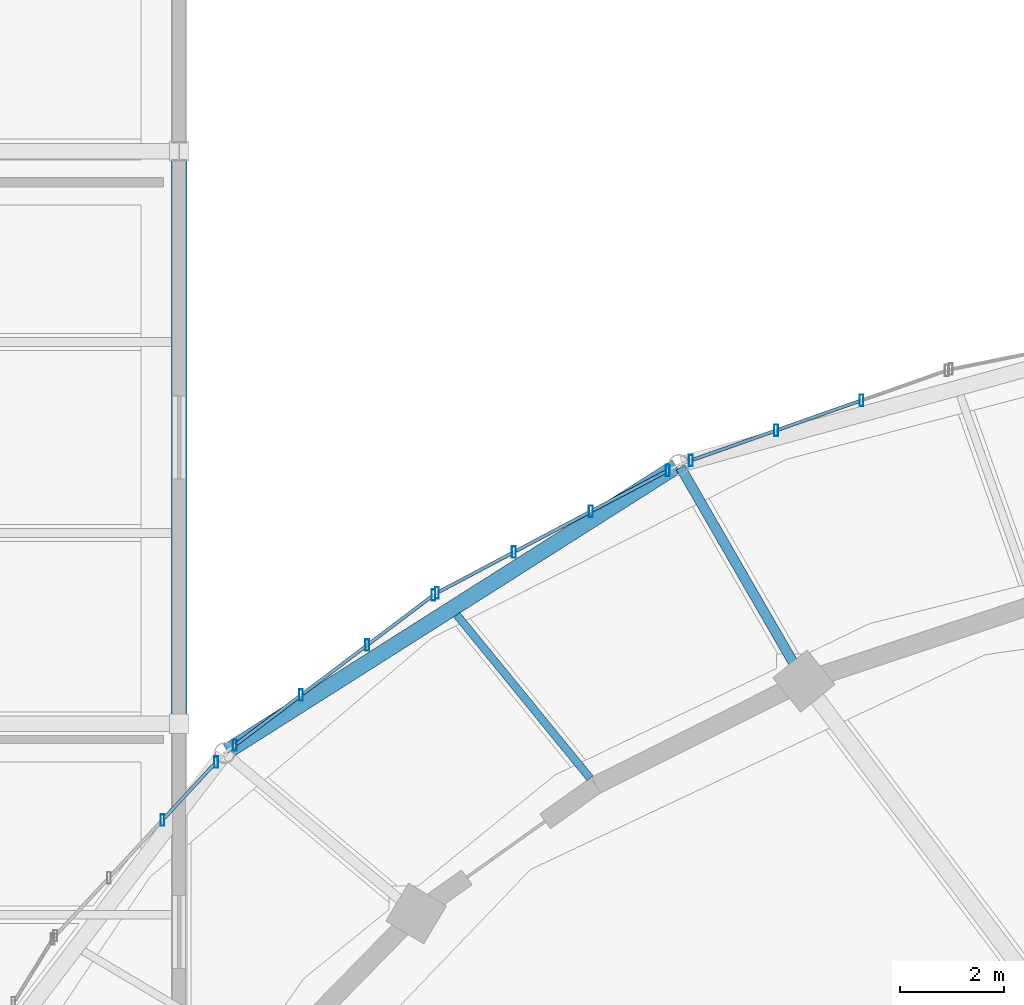
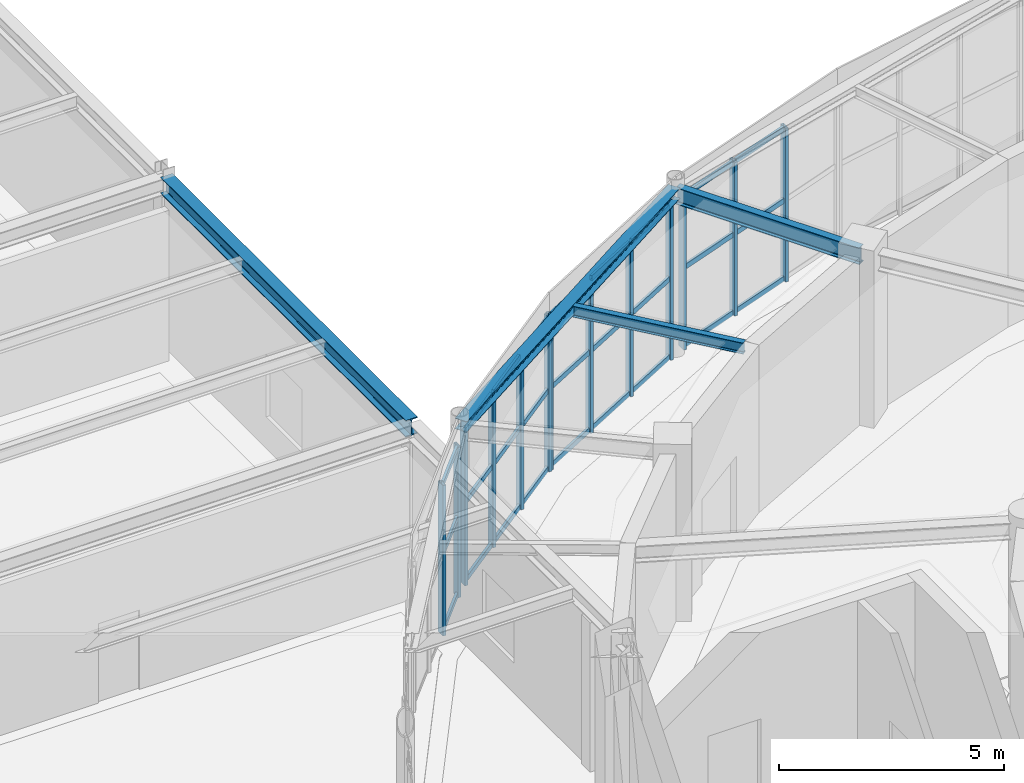
# One storey, part 46 of 100: 40 members, 4 beams, 4 elements without a shape of their own.
"""IFC4 building model written with IfcOpenShell, lengths in metres."""

import ifcopenshell
import ifcopenshell.guid

model = None  # the IFC model being written
_history = None  # IfcOwnerHistory: only IFC2X3 demands one
_inside = {}  # id of a spatial element -> (the spatial element, [elements in it])
_under = {}  # id of a project, library or spatial element -> (it, [spatial elements below it])
_declared = {}  # id of a project -> (the project, [libraries it declares])
_typed = {}  # id of a type object -> (the type object, [elements of that type])
_made_of = {}  # id of a material, layer set ... -> (it, [elements and type objects made of it])


def new_model(schema):
    """Start an empty IFC model of exactly this schema.

    Asked for "IFC4X3", IfcOpenShell would pick the latest addendum, in which some entities
    have other attributes; the version numbers below select the first issue.
    IFC2X3 requires an IfcOwnerHistory on every rooted entity: one is made here for all.
    """
    global model, _history
    if schema == "IFC4X3":
        model = ifcopenshell.file(schema_version=(4, 3, 0, 0))
    else:
        model = ifcopenshell.file(schema=schema)
    _inside.clear()
    _under.clear()
    _declared.clear()
    _typed.clear()
    _made_of.clear()
    _history = None
    if model.schema == "IFC2X3":
        org = make("IfcOrganization", Name="unknown")
        user = make(
            "IfcPersonAndOrganization",
            ThePerson=make("IfcPerson", FamilyName="unknown"),
            TheOrganization=org,
        )
        app = make(
            "IfcApplication",
            ApplicationDeveloper=org,
            Version="unknown",
            ApplicationFullName="unknown",
            ApplicationIdentifier="unknown",
        )
        _history = make(
            "IfcOwnerHistory",
            OwningUser=user,
            OwningApplication=app,
            ChangeAction="ADDED",
            CreationDate=0,
        )
    return model


def make(cls, **values):
    """One entity of the class cls with the attributes given. An attribute that is None is left unset."""
    return model.create_entity(
        cls, **{name: value for name, value in values.items() if value is not None}
    )


def rooted(cls, **values):
    """An entity with a GlobalId (a new one), such as an element, a storey or a relation."""
    return make(cls, GlobalId=ifcopenshell.guid.new(), OwnerHistory=_history, **values)


def si_unit(unit_type, name, prefix=None):
    """IfcSIUnit, for example si_unit("LENGTHUNIT", "METRE", prefix="MILLI")."""
    return make("IfcSIUnit", UnitType=unit_type, Prefix=prefix, Name=name)


def assignment(units):
    """IfcUnitAssignment: the units of a project."""
    return None if units is None else make("IfcUnitAssignment", Units=units)


def point(xyz):
    """IfcCartesianPoint."""
    return None if xyz is None else make("IfcCartesianPoint", Coordinates=xyz)


def direction(xyz):
    """IfcDirection."""
    return None if xyz is None else make("IfcDirection", DirectionRatios=xyz)


def frame(location, z_axis=None, x_axis=None):
    """IfcAxis2Placement3D, a coordinate frame: its origin and axes. An axis left out is left unset."""
    return make(
        "IfcAxis2Placement3D",
        Location=point(location),
        Axis=direction(z_axis),
        RefDirection=direction(x_axis),
    )


def frame_2d(location, x_axis=None):
    """IfcAxis2Placement2D, a coordinate frame in the plane: its origin and x axis."""
    return make(
        "IfcAxis2Placement2D", Location=point(location), RefDirection=direction(x_axis)
    )


def origin():
    """The frame at (0, 0, 0) with its axes left unset."""
    return frame((0.0, 0.0, 0.0))


def origin_2d():
    """The frame at (0, 0) in the plane with its x axis left unset."""
    return frame_2d((0.0, 0.0))


def place(relative_to, where):
    """IfcLocalPlacement: puts the frame where relative to a parent placement (None: the world)."""
    return make(
        "IfcLocalPlacement", PlacementRelTo=relative_to, RelativePlacement=where
    )


def context(
    kind, dimensions, precision=None, world=None, true_north=None, identifier=None
):
    """IfcGeometricRepresentationContext, for example the 3D "Model" context."""
    return make(
        "IfcGeometricRepresentationContext",
        ContextIdentifier=identifier,
        ContextType=kind,
        CoordinateSpaceDimension=dimensions,
        Precision=precision,
        WorldCoordinateSystem=world,
        TrueNorth=true_north,
    )


def subcontext(parent, identifier, kind, view, scale=None):
    """IfcGeometricRepresentationSubContext, for example "Body" below "Model"."""
    return make(
        "IfcGeometricRepresentationSubContext",
        ContextIdentifier=identifier,
        ContextType=kind,
        ParentContext=parent,
        TargetScale=scale,
        TargetView=view,
    )


def project(units=None, contexts=None):
    """IfcProject with its units and contexts."""
    return rooted(
        "IfcProject",
        Name="project",
        RepresentationContexts=contexts,
        UnitsInContext=assignment(units),
    )


def spatial(cls, under=None, at=None, **own):
    """A site, building, storey or space (cls), placed at a placement, below another one or the project."""
    s = rooted(cls, ObjectPlacement=at, **own)
    if under is not None:
        _under.setdefault(under.id(), (under, []))[1].append(s)
    return s


def profile(cls, at=None, kind="AREA", **sizes):
    """A parametric profile (cls). Its sizes go by their IFC names, for example OverallWidth=200.0."""
    return make(cls, ProfileType=kind, Position=at, **sizes)


def hollow_rectangle(**sizes):
    """IfcRectangleHollowProfileDef."""
    return profile("IfcRectangleHollowProfileDef", **sizes)


def i_section(**sizes):
    """IfcIShapeProfileDef."""
    return profile("IfcIShapeProfileDef", **sizes)


def extrude(swept, where, along, depth):
    """IfcExtrudedAreaSolid: the profile swept, set in the frame where, extruded along a direction by depth."""
    return make(
        "IfcExtrudedAreaSolid",
        SweptArea=swept,
        Position=where,
        ExtrudedDirection=direction(along),
        Depth=depth,
    )


def shape(context_of_items, identifier, shape_type, items):
    """IfcShapeRepresentation: the items that make up one representation, for example the "Body"."""
    return make(
        "IfcShapeRepresentation",
        ContextOfItems=context_of_items,
        RepresentationIdentifier=identifier,
        RepresentationType=shape_type,
        Items=items,
    )


def material(Name=None, Category=None):
    """IfcMaterial."""
    return make("IfcMaterial", Name=Name, Category=Category)


def material_profile(
    of_material, cross_section, Name=None, Category=None, Priority=None
):
    """IfcMaterialProfile: a cross section and its material."""
    return make(
        "IfcMaterialProfile",
        Name=Name,
        Material=of_material,
        Profile=cross_section,
        Priority=Priority,
        Category=Category,
    )


def profile_set(profiles, Name=None, composite=None):
    """IfcMaterialProfileSet."""
    return make(
        "IfcMaterialProfileSet",
        Name=Name,
        MaterialProfiles=profiles,
        CompositeProfile=composite,
    )


def made_of(thing, what):
    """Note that an element or type object is made of a material, layer set ...; save() writes the relation."""
    if what is not None:
        _made_of.setdefault(what.id(), (what, []))[1].append(thing)
    return thing


def type_object(cls, material=None, **own):
    """A type object (cls), such as IfcWallType, which elements share."""
    return made_of(rooted(cls, **own), material)


def element(
    cls,
    number,
    at=None,
    inside=None,
    cuts=None,
    type_object=None,
    material=None,
    context=None,
    identifier="Body",
    shape_type=None,
    held_by="IfcProductDefinitionShape",
    body=None,
    shapes=None,
    **own,
):
    """One element of the class cls, such as IfcWall. Its Tag is "e" and its number.

    at: its placement. inside: the storey or other place that contains it. cuts: it is an
    opening in that element (IfcRelVoidsElement). A single representation is given by context,
    identifier, shape_type and body (its items); several are given by shapes. held_by: the class
    of the entity that holds the representations. save() writes the other relations.
    """
    e = rooted(cls, Tag="e%d" % number, ObjectPlacement=at, **own)
    if body is not None:
        shapes = [shape(context, identifier, shape_type, body)]
    if shapes is not None:
        e.Representation = make(held_by, Representations=shapes)
    if inside is not None:
        _inside.setdefault(inside.id(), (inside, []))[1].append(e)
    if cuts is not None:
        rooted(
            "IfcRelVoidsElement", RelatingBuildingElement=cuts, RelatedOpeningElement=e
        )
    if type_object is not None:
        _typed.setdefault(type_object.id(), (type_object, []))[1].append(e)
    return made_of(e, material)


def aggregate(whole, parts):
    """IfcRelAggregates: a whole, such as a stair, and the parts it consists of."""
    return rooted("IfcRelAggregates", RelatingObject=whole, RelatedObjects=parts)


def save(model, path):
    """Write the relations noted so far, then the file.

    IfcRelAggregates (storeys below a building ...), IfcRelContainedInSpatialStructure (elements
    in a storey), IfcRelDefinesByType, IfcRelAssociatesMaterial and IfcRelDeclares: one each for
    every whole, place, type object, material and project.
    """
    for whole, parts in _under.values():
        aggregate(whole, parts)
    for where, things in _inside.values():
        rooted(
            "IfcRelContainedInSpatialStructure",
            RelatedElements=things,
            RelatingStructure=where,
        )
    for kind, things in _typed.values():
        rooted("IfcRelDefinesByType", RelatedObjects=things, RelatingType=kind)
    for what, things in _made_of.values():
        rooted("IfcRelAssociatesMaterial", RelatedObjects=things, RelatingMaterial=what)
    for by, libraries in _declared.values():
        rooted("IfcRelDeclares", RelatingContext=by, RelatedDefinitions=libraries)
    model.write(path)


model = new_model("IFC4")

# Units and contexts
model_context = context("Model", 3, precision=1e-05, world=origin(), true_north=direction((0.0, 1.0)))
body_context = subcontext(model_context, "Body", "Model", "MODEL_VIEW")
ifc_project = project(units=[si_unit("LENGTHUNIT", "METRE"), si_unit("AREAUNIT", "SQUARE_METRE"), si_unit("VOLUMEUNIT", "CUBIC_METRE"), si_unit("PLANEANGLEUNIT", "RADIAN"), si_unit("MASSUNIT", "GRAM", prefix="KILO")], contexts=[model_context])

# Site, building, storey
site_placement = place(None, origin())
site = spatial("IfcSite", under=ifc_project, at=site_placement, CompositionType="ELEMENT")
building_placement = place(site_placement, origin())
building = spatial("IfcBuilding", under=site, at=building_placement, Name="Tarnveldt Headland Concert Hall", CompositionType="ELEMENT")
storey_placement = place(building_placement, frame((0.0, 0.0, 4.800048828125)))
storey = spatial("IfcBuildingStorey", under=building, at=storey_placement, Name="L01", CompositionType="ELEMENT", Elevation=4.800048828125)

# Curtain wall, members
ifc_material_1 = material(Name="Marine-anodised aluminium EN AW-6063-T6", Category="aluminium")
curtain_wall_type = type_object("IfcCurtainWallType", Name="CW-F2", PredefinedType="NOTDEFINED", material=ifc_material_1)
curtain_wall_1_placement = place(storey_placement, origin())
curtain_wall_1 = element("IfcCurtainWall", 1, at=curtain_wall_1_placement, inside=storey, type_object=curtain_wall_type, Name="Curtain wall CW-L01-038", PredefinedType="NOTDEFINED")
ifc_material_profile_1 = material_profile(ifc_material_1, hollow_rectangle(XDim=0.074951171875, YDim=0.219970703125, WallThickness=0.0048828125, at=origin_2d()), Name="ALU MULLION 75x220x5", Category="aluminium")
ifc_profile_set_1 = profile_set([ifc_material_profile_1], Name="Marine-anodised aluminium EN AW-6063-T6")
member_type_1 = type_object("IfcMemberType", Name="ML-200", PredefinedType="MULLION", material=ifc_profile_set_1)
member_1_placement = place(storey_placement, frame((70.605712890625, 77.21337890625, 0.0), z_axis=(0.0, 0.0, 1.0), x_axis=(1.0, 0.0, 0.0)))
member_1 = element("IfcMember", 2, at=member_1_placement, type_object=member_type_1, Name="Mullion CW-L01-038-2", PredefinedType="MULLION", context=body_context, shape_type="SweptSolid", body=[
    extrude(hollow_rectangle(XDim=0.074951171875, YDim=0.219970703125, WallThickness=0.0048828125, at=origin_2d()), origin(), (0.0, 0.0, 1.0), 4.159912109375),
])
member_2_placement = place(storey_placement, frame((68.967529296875, 76.635986328125, 0.0), z_axis=(0.0, 0.0, 1.0), x_axis=(1.0, 0.0, 0.0)))
member_2 = element("IfcMember", 3, at=member_2_placement, type_object=member_type_1, Name="Mullion CW-L01-038-3", PredefinedType="MULLION", context=body_context, shape_type="SweptSolid", body=[
    extrude(hollow_rectangle(XDim=0.074951171875, YDim=0.219970703125, WallThickness=0.0048828125, at=origin_2d()), origin(), (0.0, 0.0, 1.0), 4.159912109375),
])
member_3_placement = place(storey_placement, frame((67.329345703125, 76.058349609375, 0.0), z_axis=(0.0, 0.0, 1.0), x_axis=(1.0, 0.0, 0.0)))
member_3 = element("IfcMember", 4, at=member_3_placement, type_object=member_type_1, Name="Mullion CW-L01-038-4", PredefinedType="MULLION", context=body_context, shape_type="SweptSolid", body=[
    extrude(hollow_rectangle(XDim=0.074951171875, YDim=0.219970703125, WallThickness=0.0048828125, at=origin_2d()), origin(), (0.0, 0.0, 1.0), 4.159912109375),
])

curtain_wall_2_placement = place(storey_placement, origin())
curtain_wall_2 = element("IfcCurtainWall", 5, at=curtain_wall_2_placement, inside=storey, type_object=curtain_wall_type, Name="Curtain wall CW-L01-039", PredefinedType="NOTDEFINED")
member_4_placement = place(storey_placement, frame((66.885009765625, 75.863525390625, 0.0), z_axis=(0.0, 0.0, 1.0), x_axis=(1.0, 0.0, 0.0)))
member_4 = element("IfcMember", 6, at=member_4_placement, type_object=member_type_1, Name="Mullion CW-L01-039-1", PredefinedType="MULLION", context=body_context, shape_type="SweptSolid", body=[
    extrude(hollow_rectangle(XDim=0.074951171875, YDim=0.219970703125, WallThickness=0.0048828125, at=origin_2d()), origin(), (0.0, 0.0, 1.0), 4.159912109375),
])
member_5_placement = place(storey_placement, frame((65.407470703125, 75.081298828125, 0.0), z_axis=(0.0, 0.0, 1.0), x_axis=(1.0, 0.0, 0.0)))
member_5 = element("IfcMember", 7, at=member_5_placement, type_object=member_type_1, Name="Mullion CW-L01-039-2", PredefinedType="MULLION", context=body_context, shape_type="SweptSolid", body=[
    extrude(hollow_rectangle(XDim=0.074951171875, YDim=0.219970703125, WallThickness=0.0048828125, at=origin_2d()), origin(), (0.0, 0.0, 1.0), 4.159912109375),
])
member_6_placement = place(storey_placement, frame((63.9296875, 74.298828125, 0.0), z_axis=(0.0, 0.0, 1.0), x_axis=(1.0, 0.0, 0.0)))
member_6 = element("IfcMember", 8, at=member_6_placement, type_object=member_type_1, Name="Mullion CW-L01-039-3", PredefinedType="MULLION", context=body_context, shape_type="SweptSolid", body=[
    extrude(hollow_rectangle(XDim=0.074951171875, YDim=0.219970703125, WallThickness=0.0048828125, at=origin_2d()), origin(), (0.0, 0.0, 1.0), 4.159912109375),
])
member_7_placement = place(storey_placement, frame((62.451904296875, 73.5166015625, 0.0), z_axis=(0.0, 0.0, 1.0), x_axis=(1.0, 0.0, 0.0)))
member_7 = element("IfcMember", 9, at=member_7_placement, type_object=member_type_1, Name="Mullion CW-L01-039-4", PredefinedType="MULLION", context=body_context, shape_type="SweptSolid", body=[
    extrude(hollow_rectangle(XDim=0.074951171875, YDim=0.219970703125, WallThickness=0.0048828125, at=origin_2d()), origin(), (0.0, 0.0, 1.0), 4.159912109375),
])

curtain_wall_3_placement = place(storey_placement, origin())
curtain_wall_3 = element("IfcCurtainWall", 10, at=curtain_wall_3_placement, inside=storey, type_object=curtain_wall_type, Name="Curtain wall CW-L01-040", PredefinedType="NOTDEFINED")
member_8_placement = place(storey_placement, frame((62.384765625, 73.473876953125, 0.0), z_axis=(0.0, 0.0, 1.0), x_axis=(1.0, 0.0, 0.0)))
member_8 = element("IfcMember", 11, at=member_8_placement, type_object=member_type_1, Name="Mullion CW-L01-040-1", PredefinedType="MULLION", context=body_context, shape_type="SweptSolid", body=[
    extrude(hollow_rectangle(XDim=0.074951171875, YDim=0.219970703125, WallThickness=0.0048828125, at=origin_2d()), origin(), (0.0, 0.0, 1.0), 4.159912109375),
])
member_9_placement = place(storey_placement, frame((61.1123046875, 72.51171875, 0.0), z_axis=(0.0, 0.0, 1.0), x_axis=(1.0, 0.0, 0.0)))
member_9 = element("IfcMember", 12, at=member_9_placement, type_object=member_type_1, Name="Mullion CW-L01-040-2", PredefinedType="MULLION", context=body_context, shape_type="SweptSolid", body=[
    extrude(hollow_rectangle(XDim=0.074951171875, YDim=0.219970703125, WallThickness=0.0048828125, at=origin_2d()), origin(), (0.0, 0.0, 1.0), 4.159912109375),
])
member_10_placement = place(storey_placement, frame((59.840087890625, 71.5498046875, 0.0), z_axis=(0.0, 0.0, 1.0), x_axis=(1.0, 0.0, 0.0)))
member_10 = element("IfcMember", 13, at=member_10_placement, type_object=member_type_1, Name="Mullion CW-L01-040-3", PredefinedType="MULLION", context=body_context, shape_type="SweptSolid", body=[
    extrude(hollow_rectangle(XDim=0.074951171875, YDim=0.219970703125, WallThickness=0.0048828125, at=origin_2d()), origin(), (0.0, 0.0, 1.0), 4.159912109375),
])
member_11_placement = place(storey_placement, frame((58.567626953125, 70.587890625, 0.0), z_axis=(0.0, 0.0, 1.0), x_axis=(1.0, 0.0, 0.0)))
member_11 = element("IfcMember", 14, at=member_11_placement, type_object=member_type_1, Name="Mullion CW-L01-040-4", PredefinedType="MULLION", context=body_context, shape_type="SweptSolid", body=[
    extrude(hollow_rectangle(XDim=0.074951171875, YDim=0.219970703125, WallThickness=0.0048828125, at=origin_2d()), origin(), (0.0, 0.0, 1.0), 4.159912109375),
])

curtain_wall_4_placement = place(storey_placement, origin())
curtain_wall_4 = element("IfcCurtainWall", 15, at=curtain_wall_4_placement, inside=storey, type_object=curtain_wall_type, Name="Curtain wall CW-L01-041", PredefinedType="NOTDEFINED")
member_12_placement = place(storey_placement, frame((58.20849609375, 70.2626953125, 0.0), z_axis=(0.0, 0.0, 1.0), x_axis=(1.0, 0.0, 0.0)))
member_12 = element("IfcMember", 16, at=member_12_placement, type_object=member_type_1, Name="Mullion CW-L01-041-1", PredefinedType="MULLION", context=body_context, shape_type="SweptSolid", body=[
    extrude(hollow_rectangle(XDim=0.074951171875, YDim=0.219970703125, WallThickness=0.0048828125, at=origin_2d()), origin(), (0.0, 0.0, 1.0), 4.077880859375),
])
member_13_placement = place(storey_placement, frame((57.179443359375, 69.151611328125, 0.0), z_axis=(0.0, 0.0, 1.0), x_axis=(1.0, 0.0, 0.0)))
member_13 = element("IfcMember", 17, at=member_13_placement, type_object=member_type_1, Name="Mullion CW-L01-041-2", PredefinedType="MULLION", context=body_context, shape_type="SweptSolid", body=[
    extrude(hollow_rectangle(XDim=0.074951171875, YDim=0.219970703125, WallThickness=0.0048828125, at=origin_2d()), origin(), (0.0, 0.0, 1.0), 4.077880859375),
])

# Beams
ifc_material_2 = material(Name="Steel S355", Category="steel")
ifc_material_profile_2 = material_profile(ifc_material_2, i_section(OverallWidth=0.300048828125, OverallDepth=0.2900390625, WebThickness=0.008544921875, FlangeThickness=0.013916015625, FilletRadius=0.027099609375, at=origin_2d()), Name="HEA300", Category="steel")
ifc_profile_set_2 = profile_set([ifc_material_profile_2], Name="Steel S355")
beam_type_1 = type_object("IfcBeamType", Name="SB-HEA300", PredefinedType="SPANDREL", material=ifc_profile_set_2)
beam_1_placement = place(storey_placement, frame((67.04931640625, 75.9453125, 4.39501953125), z_axis=(-0.844390967344, -0.535727444012, 0.0), x_axis=(0.535727444012, -0.844390967344, 0.0)))
element("IfcBeam", 18, at=beam_1_placement, inside=storey, type_object=beam_type_1, Name="Framing beam L01-696", PredefinedType="SPANDREL", context=body_context, shape_type="SweptSolid", body=[
    extrude(i_section(OverallWidth=0.300048828125, OverallDepth=0.2900390625, WebThickness=0.008544921875, FlangeThickness=0.013916015625, FilletRadius=0.027099609375, at=origin_2d()), origin(), (0.0, 0.0, 1.0), 10.21435546875),
])
ifc_material_profile_3 = material_profile(ifc_material_2, i_section(OverallWidth=0.300048828125, OverallDepth=0.449951171875, WebThickness=0.013916015625, FlangeThickness=0.02587890625, FilletRadius=0.027099609375, at=origin_2d()), Name="HEB450", Category="steel")
ifc_profile_set_3 = profile_set([ifc_material_profile_3], Name="Steel S355")
beam_type_2 = type_object("IfcBeamType", Name="SB-HEB450", PredefinedType="BEAM", material=ifc_profile_set_3)
beam_2_placement = place(storey_placement, frame((57.5, 71.06005859375, 4.31494140625), z_axis=(0.0, 1.0, 0.0), x_axis=(-1.0, 0.0, 0.0)))
element("IfcBeam", 19, at=beam_2_placement, inside=storey, type_object=beam_type_2, Name="Framing beam L01-990", PredefinedType="BEAM", context=body_context, shape_type="SweptSolid", body=[
    extrude(i_section(OverallWidth=0.300048828125, OverallDepth=0.449951171875, WebThickness=0.013916015625, FlangeThickness=0.02587890625, FilletRadius=0.027099609375, at=origin_2d()), origin(), (0.0, 0.0, 1.0), 10.8798828125),
])
ifc_material_profile_4 = material_profile(ifc_material_2, i_section(OverallWidth=0.14990234375, OverallDepth=0.300048828125, WebThickness=0.007080078125, FlangeThickness=0.0107421875, FilletRadius=0.014892578125, at=origin_2d()), Name="IPE300", Category="steel")
ifc_profile_set_4 = profile_set([ifc_material_profile_4], Name="Steel S355")
beam_type_3 = type_object("IfcBeamType", Name="SB-IPE300", PredefinedType="JOIST", material=ifc_profile_set_4)
beam_3_placement = place(storey_placement, frame((65.391357421875, 69.95654296875, 4.389892578125), z_axis=(-0.632291553532, 0.774730528205, 0.0), x_axis=(-0.774730528205, -0.632291553532, 0.0)))
element("IfcBeam", 20, at=beam_3_placement, inside=storey, type_object=beam_type_3, Name="Framing beam L01-698", PredefinedType="JOIST", context=body_context, shape_type="SweptSolid", body=[
    extrude(i_section(OverallWidth=0.14990234375, OverallDepth=0.300048828125, WebThickness=0.007080078125, FlangeThickness=0.0107421875, FilletRadius=0.014892578125, at=origin_2d()), origin(), (0.0, 0.0, 1.0), 4.048583984375),
])
ifc_material_profile_5 = material_profile(ifc_material_2, i_section(OverallWidth=0.18994140625, OverallDepth=0.449951171875, WebThickness=0.009521484375, FlangeThickness=0.0146484375, FilletRadius=0.02099609375, at=origin_2d()), Name="IPE450", Category="steel")
ifc_profile_set_5 = profile_set([ifc_material_profile_5], Name="Steel S355")
beam_type_4 = type_object("IfcBeamType", Name="SB-IPE450", PredefinedType="BEAM", material=ifc_profile_set_5)
beam_4_placement = place(storey_placement, frame((69.47998046875, 71.85498046875, 4.31494140625), z_axis=(-0.500016218704, 0.866016039709, 0.0), x_axis=(-0.866016039709, -0.500016218704, 0.0)))
element("IfcBeam", 21, at=beam_4_placement, inside=storey, type_object=beam_type_4, Name="Framing beam L01-697", PredefinedType="BEAM", context=body_context, shape_type="SweptSolid", body=[
    extrude(i_section(OverallWidth=0.18994140625, OverallDepth=0.449951171875, WebThickness=0.009521484375, FlangeThickness=0.0146484375, FilletRadius=0.02099609375, at=origin_2d()), origin(), (0.0, 0.0, 1.0), 4.699951171875),
])

# Member
ifc_material_profile_6 = material_profile(ifc_material_1, hollow_rectangle(XDim=0.06494140625, YDim=0.139892578125, WallThickness=0.00390625, at=origin_2d()), Name="ALU TRANSOM 65x140x4", Category="aluminium")
ifc_profile_set_6 = profile_set([ifc_material_profile_6], Name="Marine-anodised aluminium EN AW-6063-T6")
member_type_2 = type_object("IfcMemberType", Name="TR-140", PredefinedType="MEMBER", material=ifc_profile_set_6)
member_14_placement = place(storey_placement, frame((70.55908203125, 77.197021484375, 0.050048828125), z_axis=(-0.943086608154, -0.332547213971, 0.0), x_axis=(0.332547213971, -0.943086608154, 0.0)))
member_14 = element("IfcMember", 22, at=member_14_placement, type_object=member_type_2, Name="Transom CW-L01-038-2-1", PredefinedType="MEMBER", context=body_context, shape_type="SweptSolid", body=[
    extrude(hollow_rectangle(XDim=0.06494140625, YDim=0.139892578125, WallThickness=0.00390625, at=origin_2d()), origin(), (0.0, 0.0, 1.0), 1.637939453125),
])

member_15_placement = place(storey_placement, frame((70.55908203125, 77.197021484375, 2.1630859375), z_axis=(-0.943086608154, -0.332547213971, 0.0), x_axis=(0.332547213971, -0.943086608154, 0.0)))
member_15 = element("IfcMember", 23, at=member_15_placement, type_object=member_type_2, Name="Transom CW-L01-038-2-2", PredefinedType="MEMBER", context=body_context, shape_type="SweptSolid", body=[
    extrude(hollow_rectangle(XDim=0.06494140625, YDim=0.139892578125, WallThickness=0.00390625, at=origin_2d()), origin(), (0.0, 0.0, 1.0), 1.637939453125),
])

member_16_placement = place(storey_placement, frame((70.55908203125, 77.197021484375, 4.10986328125), z_axis=(-0.943086608154, -0.332547213971, 0.0), x_axis=(0.332547213971, -0.943086608154, 0.0)))
member_16 = element("IfcMember", 24, at=member_16_placement, type_object=member_type_2, Name="Transom CW-L01-038-2-3", PredefinedType="MEMBER", context=body_context, shape_type="SweptSolid", body=[
    extrude(hollow_rectangle(XDim=0.06494140625, YDim=0.139892578125, WallThickness=0.00390625, at=origin_2d()), origin(), (0.0, 0.0, 1.0), 1.637939453125),
])

member_17_placement = place(storey_placement, frame((68.9208984375, 76.619384765625, 0.050048828125), z_axis=(-0.943086608154, -0.332547213971, 0.0), x_axis=(0.332547213971, -0.943086608154, 0.0)))
member_17 = element("IfcMember", 25, at=member_17_placement, type_object=member_type_2, Name="Transom CW-L01-038-3-1", PredefinedType="MEMBER", context=body_context, shape_type="SweptSolid", body=[
    extrude(hollow_rectangle(XDim=0.06494140625, YDim=0.139892578125, WallThickness=0.00390625, at=origin_2d()), origin(), (0.0, 0.0, 1.0), 1.637939453125),
])

member_18_placement = place(storey_placement, frame((68.9208984375, 76.619384765625, 2.1630859375), z_axis=(-0.943086608154, -0.332547213971, 0.0), x_axis=(0.332547213971, -0.943086608154, 0.0)))
member_18 = element("IfcMember", 26, at=member_18_placement, type_object=member_type_2, Name="Transom CW-L01-038-3-2", PredefinedType="MEMBER", context=body_context, shape_type="SweptSolid", body=[
    extrude(hollow_rectangle(XDim=0.06494140625, YDim=0.139892578125, WallThickness=0.00390625, at=origin_2d()), origin(), (0.0, 0.0, 1.0), 1.637939453125),
])

member_19_placement = place(storey_placement, frame((68.9208984375, 76.619384765625, 4.10986328125), z_axis=(-0.943086608154, -0.332547213971, 0.0), x_axis=(0.332547213971, -0.943086608154, 0.0)))
member_19 = element("IfcMember", 27, at=member_19_placement, type_object=member_type_2, Name="Transom CW-L01-038-3-3", PredefinedType="MEMBER", context=body_context, shape_type="SweptSolid", body=[
    extrude(hollow_rectangle(XDim=0.06494140625, YDim=0.139892578125, WallThickness=0.00390625, at=origin_2d()), origin(), (0.0, 0.0, 1.0), 1.637939453125),
])

aggregate(curtain_wall_1, [member_1, member_2, member_3, member_14, member_15, member_16, member_17, member_18, member_19])

member_20_placement = place(storey_placement, frame((66.84130859375, 75.84033203125, 0.050048828125), z_axis=(-0.883818119323, -0.467830665901, 0.0), x_axis=(0.467830665901, -0.883818119323, 0.0)))
member_20 = element("IfcMember", 28, at=member_20_placement, type_object=member_type_2, Name="Transom CW-L01-039-1-1", PredefinedType="MEMBER", context=body_context, shape_type="SweptSolid", body=[
    extrude(hollow_rectangle(XDim=0.06494140625, YDim=0.139892578125, WallThickness=0.00390625, at=origin_2d()), origin(), (0.0, 0.0, 1.0), 1.572998046875),
])

member_21_placement = place(storey_placement, frame((66.84130859375, 75.84033203125, 2.1630859375), z_axis=(-0.883818119323, -0.467830665901, 0.0), x_axis=(0.467830665901, -0.883818119323, 0.0)))
member_21 = element("IfcMember", 29, at=member_21_placement, type_object=member_type_2, Name="Transom CW-L01-039-1-2", PredefinedType="MEMBER", context=body_context, shape_type="SweptSolid", body=[
    extrude(hollow_rectangle(XDim=0.06494140625, YDim=0.139892578125, WallThickness=0.00390625, at=origin_2d()), origin(), (0.0, 0.0, 1.0), 1.572998046875),
])

member_22_placement = place(storey_placement, frame((66.84130859375, 75.84033203125, 4.10986328125), z_axis=(-0.883818119323, -0.467830665901, 0.0), x_axis=(0.467830665901, -0.883818119323, 0.0)))
member_22 = element("IfcMember", 30, at=member_22_placement, type_object=member_type_2, Name="Transom CW-L01-039-1-3", PredefinedType="MEMBER", context=body_context, shape_type="SweptSolid", body=[
    extrude(hollow_rectangle(XDim=0.06494140625, YDim=0.139892578125, WallThickness=0.00390625, at=origin_2d()), origin(), (0.0, 0.0, 1.0), 1.572998046875),
])

member_23_placement = place(storey_placement, frame((65.36376953125, 75.05810546875, 0.050048828125), z_axis=(-0.883787916347, -0.467887720419, 0.0), x_axis=(0.467887720419, -0.883787916347, 0.0)))
member_23 = element("IfcMember", 31, at=member_23_placement, type_object=member_type_2, Name="Transom CW-L01-039-2-1", PredefinedType="MEMBER", context=body_context, shape_type="SweptSolid", body=[
    extrude(hollow_rectangle(XDim=0.06494140625, YDim=0.139892578125, WallThickness=0.00390625, at=origin_2d()), origin(), (0.0, 0.0, 1.0), 1.5732421875),
])

member_24_placement = place(storey_placement, frame((65.36376953125, 75.05810546875, 2.1630859375), z_axis=(-0.883787916347, -0.467887720419, 0.0), x_axis=(0.467887720419, -0.883787916347, 0.0)))
member_24 = element("IfcMember", 32, at=member_24_placement, type_object=member_type_2, Name="Transom CW-L01-039-2-2", PredefinedType="MEMBER", context=body_context, shape_type="SweptSolid", body=[
    extrude(hollow_rectangle(XDim=0.06494140625, YDim=0.139892578125, WallThickness=0.00390625, at=origin_2d()), origin(), (0.0, 0.0, 1.0), 1.5732421875),
])

member_25_placement = place(storey_placement, frame((65.36376953125, 75.05810546875, 4.10986328125), z_axis=(-0.883787916347, -0.467887720419, 0.0), x_axis=(0.467887720419, -0.883787916347, 0.0)))
member_25 = element("IfcMember", 33, at=member_25_placement, type_object=member_type_2, Name="Transom CW-L01-039-2-3", PredefinedType="MEMBER", context=body_context, shape_type="SweptSolid", body=[
    extrude(hollow_rectangle(XDim=0.06494140625, YDim=0.139892578125, WallThickness=0.00390625, at=origin_2d()), origin(), (0.0, 0.0, 1.0), 1.5732421875),
])

member_26_placement = place(storey_placement, frame((63.885986328125, 74.27587890625, 0.050048828125), z_axis=(-0.883787916347, -0.467887720419, 0.0), x_axis=(0.467887720419, -0.883787916347, 0.0)))
member_26 = element("IfcMember", 34, at=member_26_placement, type_object=member_type_2, Name="Transom CW-L01-039-3-1", PredefinedType="MEMBER", context=body_context, shape_type="SweptSolid", body=[
    extrude(hollow_rectangle(XDim=0.06494140625, YDim=0.139892578125, WallThickness=0.00390625, at=origin_2d()), origin(), (0.0, 0.0, 1.0), 1.5732421875),
])

member_27_placement = place(storey_placement, frame((63.885986328125, 74.27587890625, 2.1630859375), z_axis=(-0.883787916347, -0.467887720419, 0.0), x_axis=(0.467887720419, -0.883787916347, 0.0)))
member_27 = element("IfcMember", 35, at=member_27_placement, type_object=member_type_2, Name="Transom CW-L01-039-3-2", PredefinedType="MEMBER", context=body_context, shape_type="SweptSolid", body=[
    extrude(hollow_rectangle(XDim=0.06494140625, YDim=0.139892578125, WallThickness=0.00390625, at=origin_2d()), origin(), (0.0, 0.0, 1.0), 1.5732421875),
])

member_28_placement = place(storey_placement, frame((63.885986328125, 74.27587890625, 4.10986328125), z_axis=(-0.883787916347, -0.467887720419, 0.0), x_axis=(0.467887720419, -0.883787916347, 0.0)))
member_28 = element("IfcMember", 36, at=member_28_placement, type_object=member_type_2, Name="Transom CW-L01-039-3-3", PredefinedType="MEMBER", context=body_context, shape_type="SweptSolid", body=[
    extrude(hollow_rectangle(XDim=0.06494140625, YDim=0.139892578125, WallThickness=0.00390625, at=origin_2d()), origin(), (0.0, 0.0, 1.0), 1.5732421875),
])

aggregate(curtain_wall_2, [member_4, member_5, member_6, member_7, member_20, member_21, member_22, member_23, member_24, member_25, member_26, member_27, member_28])

member_29_placement = place(storey_placement, frame((62.34521484375, 73.44384765625, 0.050048828125), z_axis=(-0.797722519103, -0.603024694781, 0.0), x_axis=(0.603024694781, -0.797722519103, 0.0)))
member_29 = element("IfcMember", 37, at=member_29_placement, type_object=member_type_2, Name="Transom CW-L01-040-1-1", PredefinedType="MEMBER", context=body_context, shape_type="SweptSolid", body=[
    extrude(hollow_rectangle(XDim=0.06494140625, YDim=0.139892578125, WallThickness=0.00390625, at=origin_2d()), origin(), (0.0, 0.0, 1.0), 1.495849609375),
])

member_30_placement = place(storey_placement, frame((62.34521484375, 73.44384765625, 2.1630859375), z_axis=(-0.797722519103, -0.603024694781, 0.0), x_axis=(0.603024694781, -0.797722519103, 0.0)))
member_30 = element("IfcMember", 38, at=member_30_placement, type_object=member_type_2, Name="Transom CW-L01-040-1-2", PredefinedType="MEMBER", context=body_context, shape_type="SweptSolid", body=[
    extrude(hollow_rectangle(XDim=0.06494140625, YDim=0.139892578125, WallThickness=0.00390625, at=origin_2d()), origin(), (0.0, 0.0, 1.0), 1.495849609375),
])

member_31_placement = place(storey_placement, frame((62.34521484375, 73.44384765625, 4.10986328125), z_axis=(-0.797722519103, -0.603024694781, 0.0), x_axis=(0.603024694781, -0.797722519103, 0.0)))
member_31 = element("IfcMember", 39, at=member_31_placement, type_object=member_type_2, Name="Transom CW-L01-040-1-3", PredefinedType="MEMBER", context=body_context, shape_type="SweptSolid", body=[
    extrude(hollow_rectangle(XDim=0.06494140625, YDim=0.139892578125, WallThickness=0.00390625, at=origin_2d()), origin(), (0.0, 0.0, 1.0), 1.495849609375),
])

member_32_placement = place(storey_placement, frame((61.072998046875, 72.48193359375, 0.050048828125), z_axis=(-0.797703362138, -0.603050036094, 0.0), x_axis=(0.603050036094, -0.797703362138, 0.0)))
member_32 = element("IfcMember", 40, at=member_32_placement, type_object=member_type_2, Name="Transom CW-L01-040-2-1", PredefinedType="MEMBER", context=body_context, shape_type="SweptSolid", body=[
    extrude(hollow_rectangle(XDim=0.06494140625, YDim=0.139892578125, WallThickness=0.00390625, at=origin_2d()), origin(), (0.0, 0.0, 1.0), 1.496337890625),
])

member_33_placement = place(storey_placement, frame((61.072998046875, 72.48193359375, 2.1630859375), z_axis=(-0.797703362138, -0.603050036094, 0.0), x_axis=(0.603050036094, -0.797703362138, 0.0)))
member_33 = element("IfcMember", 41, at=member_33_placement, type_object=member_type_2, Name="Transom CW-L01-040-2-2", PredefinedType="MEMBER", context=body_context, shape_type="SweptSolid", body=[
    extrude(hollow_rectangle(XDim=0.06494140625, YDim=0.139892578125, WallThickness=0.00390625, at=origin_2d()), origin(), (0.0, 0.0, 1.0), 1.496337890625),
])

member_34_placement = place(storey_placement, frame((61.072998046875, 72.48193359375, 4.10986328125), z_axis=(-0.797703362138, -0.603050036094, 0.0), x_axis=(0.603050036094, -0.797703362138, 0.0)))
member_34 = element("IfcMember", 42, at=member_34_placement, type_object=member_type_2, Name="Transom CW-L01-040-2-3", PredefinedType="MEMBER", context=body_context, shape_type="SweptSolid", body=[
    extrude(hollow_rectangle(XDim=0.06494140625, YDim=0.139892578125, WallThickness=0.00390625, at=origin_2d()), origin(), (0.0, 0.0, 1.0), 1.496337890625),
])

member_35_placement = place(storey_placement, frame((59.800537109375, 71.52001953125, 0.050048828125), z_axis=(-0.797644013211, -0.603128533721, 0.0), x_axis=(0.603128533721, -0.797644013211, 0.0)))
member_35 = element("IfcMember", 43, at=member_35_placement, type_object=member_type_2, Name="Transom CW-L01-040-3-1", PredefinedType="MEMBER", context=body_context, shape_type="SweptSolid", body=[
    extrude(hollow_rectangle(XDim=0.06494140625, YDim=0.139892578125, WallThickness=0.00390625, at=origin_2d()), origin(), (0.0, 0.0, 1.0), 1.49609375),
])

member_36_placement = place(storey_placement, frame((59.800537109375, 71.52001953125, 2.1630859375), z_axis=(-0.797644013211, -0.603128533721, 0.0), x_axis=(0.603128533721, -0.797644013211, 0.0)))
member_36 = element("IfcMember", 44, at=member_36_placement, type_object=member_type_2, Name="Transom CW-L01-040-3-2", PredefinedType="MEMBER", context=body_context, shape_type="SweptSolid", body=[
    extrude(hollow_rectangle(XDim=0.06494140625, YDim=0.139892578125, WallThickness=0.00390625, at=origin_2d()), origin(), (0.0, 0.0, 1.0), 1.49609375),
])

member_37_placement = place(storey_placement, frame((59.800537109375, 71.52001953125, 4.10986328125), z_axis=(-0.797644013211, -0.603128533721, 0.0), x_axis=(0.603128533721, -0.797644013211, 0.0)))
member_37 = element("IfcMember", 45, at=member_37_placement, type_object=member_type_2, Name="Transom CW-L01-040-3-3", PredefinedType="MEMBER", context=body_context, shape_type="SweptSolid", body=[
    extrude(hollow_rectangle(XDim=0.06494140625, YDim=0.139892578125, WallThickness=0.00390625, at=origin_2d()), origin(), (0.0, 0.0, 1.0), 1.49609375),
])

aggregate(curtain_wall_3, [member_8, member_9, member_10, member_11, member_29, member_30, member_31, member_32, member_33, member_34, member_35, member_36, member_37])

member_38_placement = place(storey_placement, frame((58.1748046875, 70.226318359375, 0.050048828125), z_axis=(-0.679504344073, -0.733671483966, 0.0), x_axis=(0.733671483966, -0.679504344073, 0.0)))
member_38 = element("IfcMember", 46, at=member_38_placement, type_object=member_type_2, Name="Transom CW-L01-041-1-1", PredefinedType="MEMBER", context=body_context, shape_type="SweptSolid", body=[
    extrude(hollow_rectangle(XDim=0.06494140625, YDim=0.139892578125, WallThickness=0.00390625, at=origin_2d()), origin(), (0.0, 0.0, 1.0), 1.415283203125),
])

member_39_placement = place(storey_placement, frame((58.1748046875, 70.226318359375, 2.12060546875), z_axis=(-0.679504344073, -0.733671483966, 0.0), x_axis=(0.733671483966, -0.679504344073, 0.0)))
member_39 = element("IfcMember", 47, at=member_39_placement, type_object=member_type_2, Name="Transom CW-L01-041-1-2", PredefinedType="MEMBER", context=body_context, shape_type="SweptSolid", body=[
    extrude(hollow_rectangle(XDim=0.06494140625, YDim=0.139892578125, WallThickness=0.00390625, at=origin_2d()), origin(), (0.0, 0.0, 1.0), 1.415283203125),
])

member_40_placement = place(storey_placement, frame((58.1748046875, 70.226318359375, 4.02783203125), z_axis=(-0.679504344073, -0.733671483966, 0.0), x_axis=(0.733671483966, -0.679504344073, 0.0)))
member_40 = element("IfcMember", 48, at=member_40_placement, type_object=member_type_2, Name="Transom CW-L01-041-1-3", PredefinedType="MEMBER", context=body_context, shape_type="SweptSolid", body=[
    extrude(hollow_rectangle(XDim=0.06494140625, YDim=0.139892578125, WallThickness=0.00390625, at=origin_2d()), origin(), (0.0, 0.0, 1.0), 1.415283203125),
])

aggregate(curtain_wall_4, [member_12, member_13, member_38, member_39, member_40])

save(model, "model.ifc")
